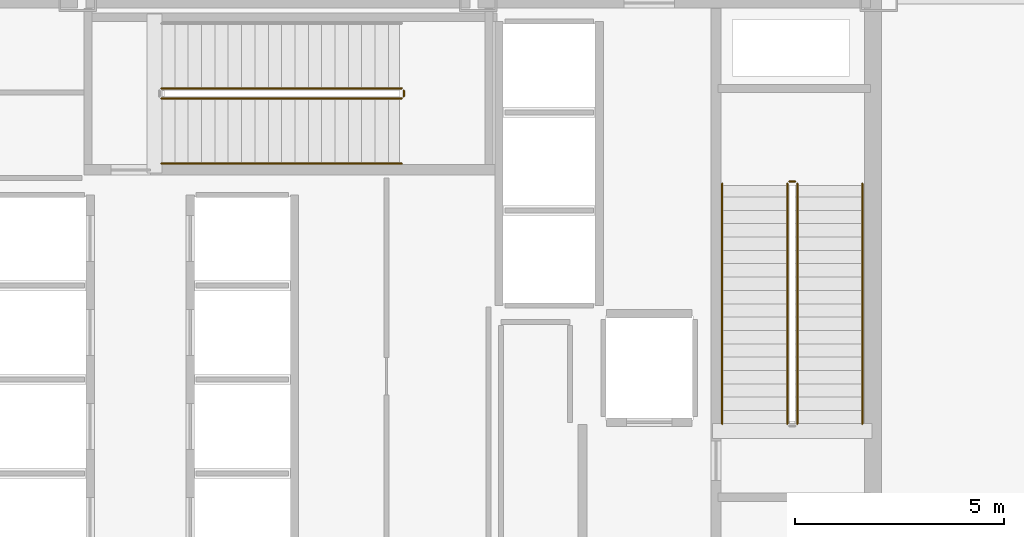
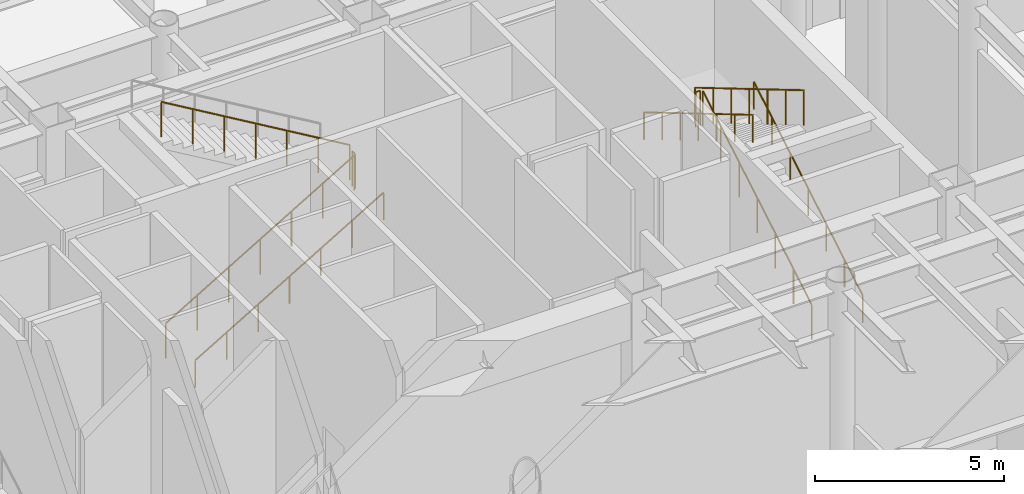
# One storey, part 22 of 23: 9 railings.
"""IFC4 building model written with IfcOpenShell, lengths in metres."""

from ifc_helpers import new_model, si_unit, direction, frame, origin, origin_2d, place, context, subcontext, project, spatial, circle, extrude, material, layer, layer_set, type_object, element, save


model = new_model("IFC4")

# Units and contexts
model_context = context("Model", 3, precision=1e-05, world=origin(), true_north=direction((0.0, 1.0)))
body_context = subcontext(model_context, "Body", "Model", "MODEL_VIEW")
ifc_project = project(units=[si_unit("LENGTHUNIT", "METRE"), si_unit("AREAUNIT", "SQUARE_METRE"), si_unit("VOLUMEUNIT", "CUBIC_METRE"), si_unit("PLANEANGLEUNIT", "RADIAN"), si_unit("MASSUNIT", "GRAM", prefix="KILO")], contexts=[model_context])

# Site, building, storey
site_placement = place(None, origin())
site = spatial("IfcSite", under=ifc_project, at=site_placement, CompositionType="ELEMENT")
building_placement = place(site_placement, origin())
building = spatial("IfcBuilding", under=site, at=building_placement, Name="Kallvorn Hotel Tower", CompositionType="ELEMENT")
storey_placement = place(building_placement, frame((0.0, 0.0, 12.0)))
storey = spatial("IfcBuildingStorey", under=building, at=storey_placement, Name="L02", CompositionType="ELEMENT", Elevation=12.0)

# Railings
ifc_material_1 = material(Name="Brushed stainless-steel tubular railing", Category="steel")
ifc_layer_1 = layer(ifc_material_1, 0.050048828125)
ifc_layer_set_1 = layer_set([ifc_layer_1], Name="RL_STAIR_GUARD")
railing_type_1 = type_object("IfcRailingType", Name="RL_STAIR_GUARD", PredefinedType="GUARDRAIL", material=ifc_layer_set_1)
railing_1_placement = place(storey_placement, frame((12.449951171875, -3.139892578125, 0.189453125)))
element("IfcRailing", 1, at=railing_1_placement, inside=storey, type_object=railing_type_1, Name="L02 ST2 stair guard 1", PredefinedType="GUARDRAIL", context=body_context, shape_type="SweptSolid", body=[
    extrude(circle(Radius=0.02392578125, at=origin_2d()), frame((0.0, 0.0, 1.1259765625), z_axis=(0.0, 0.86046802549, 0.509504442678), x_axis=(-1.0, 0.0, 0.0)), (0.0, 0.0, 1.0), 6.694091796875),
    extrude(circle(Radius=0.02099609375, at=origin_2d()), origin(), (0.0, 0.0, 1.0), 1.101806640625),
    extrude(circle(Radius=0.02099609375, at=origin_2d()), frame((0.0, 0.9599609375, 0.568359375)), (0.0, 0.0, 1.0), 1.101806640625),
    extrude(circle(Radius=0.02099609375, at=origin_2d()), frame((0.0, 1.919921875, 1.136962890625)), (0.0, 0.0, 1.0), 1.101806640625),
    extrude(circle(Radius=0.02099609375, at=origin_2d()), frame((0.0, 2.8798828125, 1.705322265625)), (0.0, 0.0, 1.0), 1.101806640625),
    extrude(circle(Radius=0.02099609375, at=origin_2d()), frame((0.0, 3.840087890625, 2.273681640625)), (0.0, 0.0, 1.0), 1.101806640625),
    extrude(circle(Radius=0.02099609375, at=origin_2d()), frame((0.0, 4.800048828125, 2.84228515625)), (0.0, 0.0, 1.0), 1.101806640625),
    extrude(circle(Radius=0.02099609375, at=origin_2d()), frame((0.0, 5.760009765625, 3.41064453125)), (0.0, 0.0, 1.0), 1.101806640625),
])
railing_2_placement = place(storey_placement, frame((12.39990234375, 2.669921875, 3.60009765625)))
element("IfcRailing", 2, at=railing_2_placement, inside=storey, type_object=railing_type_1, Name="L02 ST2 stair guard 2", PredefinedType="GUARDRAIL", context=body_context, shape_type="SweptSolid", body=[
    extrude(circle(Radius=0.02392578125, at=origin_2d()), frame((0.0, 0.0, 1.1259765625), z_axis=(-1.0, 0.0, 0.0), x_axis=(0.0, -1.0, 0.0)), (0.0, 0.0, 1.0), 0.139892578125),
    extrude(circle(Radius=0.02099609375, at=origin_2d()), origin(), (0.0, 0.0, 1.0), 1.101806640625),
    extrude(circle(Radius=0.02099609375, at=origin_2d()), frame((-0.139892578125, 0.0, 0.0)), (0.0, 0.0, 1.0), 1.101806640625),
])
railing_3_placement = place(storey_placement, frame((12.2099609375, 2.6201171875, 3.78955078125)))
element("IfcRailing", 3, at=railing_3_placement, inside=storey, type_object=railing_type_1, Name="L02 ST2 stair guard 3", PredefinedType="GUARDRAIL", context=body_context, shape_type="SweptSolid", body=[
    extrude(circle(Radius=0.02392578125, at=origin_2d()), frame((0.0, 0.0, 1.1259765625), z_axis=(0.0, -0.860484014842, 0.509477438364), x_axis=(1.0, 0.0, 0.0)), (0.0, 0.0, 1.0), 6.69384765625),
    extrude(circle(Radius=0.02099609375, at=origin_2d()), origin(), (0.0, 0.0, 1.0), 1.101806640625),
    extrude(circle(Radius=0.02099609375, at=origin_2d()), frame((0.0, -0.9599609375, 0.568359375)), (0.0, 0.0, 1.0), 1.101806640625),
    extrude(circle(Radius=0.02099609375, at=origin_2d()), frame((0.0, -1.919921875, 1.13671875)), (0.0, 0.0, 1.0), 1.101806640625),
    extrude(circle(Radius=0.02099609375, at=origin_2d()), frame((0.0, -2.8798828125, 1.705078125)), (0.0, 0.0, 1.0), 1.101806640625),
    extrude(circle(Radius=0.02099609375, at=origin_2d()), frame((0.0, -3.840087890625, 2.273681640625)), (0.0, 0.0, 1.0), 1.101806640625),
    extrude(circle(Radius=0.02099609375, at=origin_2d()), frame((0.0, -4.800048828125, 2.842041015625)), (0.0, 0.0, 1.0), 1.101806640625),
    extrude(circle(Radius=0.02099609375, at=origin_2d()), frame((0.0, -5.760009765625, 3.410400390625)), (0.0, 0.0, 1.0), 1.101806640625),
])
railing_4_placement = place(storey_placement, frame((-2.7900390625, 4.659912109375, 0.189453125)))
element("IfcRailing", 4, at=railing_4_placement, inside=storey, type_object=railing_type_1, Name="L02 ST3 stair guard 1", PredefinedType="GUARDRAIL", context=body_context, shape_type="SweptSolid", body=[
    extrude(circle(Radius=0.02392578125, at=origin_2d()), frame((0.0, 0.0, 1.1259765625), z_axis=(0.86046802549, 0.0, 0.509504442678), x_axis=(0.0, 1.0, 0.0)), (0.0, 0.0, 1.0), 6.694091796875),
    extrude(circle(Radius=0.02099609375, at=origin_2d()), origin(), (0.0, 0.0, 1.0), 1.101806640625),
    extrude(circle(Radius=0.02099609375, at=origin_2d()), frame((0.9599609375, 0.0, 0.568359375)), (0.0, 0.0, 1.0), 1.101806640625),
    extrude(circle(Radius=0.02099609375, at=origin_2d()), frame((1.919921875, 0.0, 1.136962890625)), (0.0, 0.0, 1.0), 1.101806640625),
    extrude(circle(Radius=0.02099609375, at=origin_2d()), frame((2.8798828125, 0.0, 1.705322265625)), (0.0, 0.0, 1.0), 1.101806640625),
    extrude(circle(Radius=0.02099609375, at=origin_2d()), frame((3.840087890625, 0.0, 2.273681640625)), (0.0, 0.0, 1.0), 1.101806640625),
    extrude(circle(Radius=0.02099609375, at=origin_2d()), frame((4.800048828125, 0.0, 2.84228515625)), (0.0, 0.0, 1.0), 1.101806640625),
    extrude(circle(Radius=0.02099609375, at=origin_2d()), frame((5.760009765625, 0.0, 3.41064453125)), (0.0, 0.0, 1.0), 1.101806640625),
])
railing_5_placement = place(storey_placement, frame((3.02001953125, 4.7099609375, 3.60009765625)))
element("IfcRailing", 5, at=railing_5_placement, inside=storey, type_object=railing_type_1, Name="L02 ST3 stair guard 2", PredefinedType="GUARDRAIL", context=body_context, shape_type="SweptSolid", body=[
    extrude(circle(Radius=0.02392578125, at=origin_2d()), frame((0.0, 0.0, 1.1259765625), z_axis=(0.0, 1.0, 0.0), x_axis=(-1.0, 0.0, 0.0)), (0.0, 0.0, 1.0), 0.14013671875),
    extrude(circle(Radius=0.02099609375, at=origin_2d()), origin(), (0.0, 0.0, 1.0), 1.101806640625),
    extrude(circle(Radius=0.02099609375, at=origin_2d()), frame((0.0, 0.14013671875, 0.0)), (0.0, 0.0, 1.0), 1.101806640625),
])
railing_6_placement = place(storey_placement, frame((2.969970703125, 4.89990234375, 3.78955078125)))
element("IfcRailing", 6, at=railing_6_placement, inside=storey, type_object=railing_type_1, Name="L02 ST3 stair guard 3", PredefinedType="GUARDRAIL", context=body_context, shape_type="SweptSolid", body=[
    extrude(circle(Radius=0.02392578125, at=origin_2d()), frame((0.0, 0.0, 1.1259765625), z_axis=(-0.860484014842, 0.0, 0.509477438364), x_axis=(0.0, -1.0, 0.0)), (0.0, 0.0, 1.0), 6.69384765625),
    extrude(circle(Radius=0.02099609375, at=origin_2d()), origin(), (0.0, 0.0, 1.0), 1.101806640625),
    extrude(circle(Radius=0.02099609375, at=origin_2d()), frame((-0.9599609375, 0.0, 0.568359375)), (0.0, 0.0, 1.0), 1.101806640625),
    extrude(circle(Radius=0.02099609375, at=origin_2d()), frame((-1.919921875, 0.0, 1.13671875)), (0.0, 0.0, 1.0), 1.101806640625),
    extrude(circle(Radius=0.02099609375, at=origin_2d()), frame((-2.8798828125, 0.0, 1.705078125)), (0.0, 0.0, 1.0), 1.101806640625),
    extrude(circle(Radius=0.02099609375, at=origin_2d()), frame((-3.840087890625, 0.0, 2.273681640625)), (0.0, 0.0, 1.0), 1.101806640625),
    extrude(circle(Radius=0.02099609375, at=origin_2d()), frame((-4.800048828125, 0.0, 2.842041015625)), (0.0, 0.0, 1.0), 1.101806640625),
    extrude(circle(Radius=0.02099609375, at=origin_2d()), frame((-5.760009765625, 0.0, 3.410400390625)), (0.0, 0.0, 1.0), 1.101806640625),
])
ifc_material_2 = material(Name="Brushed stainless-steel tubular railing", Category="steel")
ifc_layer_2 = layer(ifc_material_2, 0.050048828125)
ifc_layer_set_2 = layer_set([ifc_layer_2], Name="RL_STAIR_HAND")
railing_type_2 = type_object("IfcRailingType", Name="RL_STAIR_HAND", PredefinedType="HANDRAIL", material=ifc_layer_set_2)
railing_7_placement = place(storey_placement, frame((14.010009765625, -3.139892578125, 0.189453125)))
element("IfcRailing", 7, at=railing_7_placement, inside=storey, type_object=railing_type_2, Name="L02 ST2 stair handrail 1", PredefinedType="HANDRAIL", context=body_context, shape_type="SweptSolid", body=[
    extrude(circle(Radius=0.02392578125, at=origin_2d()), frame((0.0, 0.0, 0.8759765625), z_axis=(0.0, 0.86046802549, 0.509504442678), x_axis=(-1.0, 0.0, 0.0)), (0.0, 0.0, 1.0), 6.694091796875),
    extrude(circle(Radius=0.02099609375, at=origin_2d()), origin(), (0.0, 0.0, 1.0), 0.851806640625),
    extrude(circle(Radius=0.02099609375, at=origin_2d()), frame((0.0, 0.9599609375, 0.568359375)), (0.0, 0.0, 1.0), 0.851806640625),
    extrude(circle(Radius=0.02099609375, at=origin_2d()), frame((0.0, 1.919921875, 1.136962890625)), (0.0, 0.0, 1.0), 0.851806640625),
    extrude(circle(Radius=0.02099609375, at=origin_2d()), frame((0.0, 2.8798828125, 1.705322265625)), (0.0, 0.0, 1.0), 0.851806640625),
    extrude(circle(Radius=0.02099609375, at=origin_2d()), frame((0.0, 3.840087890625, 2.273681640625)), (0.0, 0.0, 1.0), 0.851806640625),
    extrude(circle(Radius=0.02099609375, at=origin_2d()), frame((0.0, 4.800048828125, 2.84228515625)), (0.0, 0.0, 1.0), 0.851806640625),
    extrude(circle(Radius=0.02099609375, at=origin_2d()), frame((0.0, 5.760009765625, 3.41064453125)), (0.0, 0.0, 1.0), 0.851806640625),
])
railing_8_placement = place(storey_placement, frame((10.64990234375, 2.6201171875, 3.78955078125)))
element("IfcRailing", 8, at=railing_8_placement, inside=storey, type_object=railing_type_2, Name="L02 ST2 stair handrail 2", PredefinedType="HANDRAIL", context=body_context, shape_type="SweptSolid", body=[
    extrude(circle(Radius=0.02392578125, at=origin_2d()), frame((0.0, 0.0, 0.8759765625), z_axis=(0.0, -0.860484014842, 0.509477438364), x_axis=(1.0, 0.0, 0.0)), (0.0, 0.0, 1.0), 6.69384765625),
    extrude(circle(Radius=0.02099609375, at=origin_2d()), origin(), (0.0, 0.0, 1.0), 0.851806640625),
    extrude(circle(Radius=0.02099609375, at=origin_2d()), frame((0.0, -0.9599609375, 0.568359375)), (0.0, 0.0, 1.0), 0.851806640625),
    extrude(circle(Radius=0.02099609375, at=origin_2d()), frame((0.0, -1.919921875, 1.13671875)), (0.0, 0.0, 1.0), 0.851806640625),
    extrude(circle(Radius=0.02099609375, at=origin_2d()), frame((0.0, -2.8798828125, 1.705078125)), (0.0, 0.0, 1.0), 0.851806640625),
    extrude(circle(Radius=0.02099609375, at=origin_2d()), frame((0.0, -3.840087890625, 2.273681640625)), (0.0, 0.0, 1.0), 0.851806640625),
    extrude(circle(Radius=0.02099609375, at=origin_2d()), frame((0.0, -4.800048828125, 2.842041015625)), (0.0, 0.0, 1.0), 0.851806640625),
    extrude(circle(Radius=0.02099609375, at=origin_2d()), frame((0.0, -5.760009765625, 3.410400390625)), (0.0, 0.0, 1.0), 0.851806640625),
])
railing_9_placement = place(storey_placement, frame((-2.7900390625, 3.10009765625, 0.189453125)))
element("IfcRailing", 9, at=railing_9_placement, inside=storey, type_object=railing_type_2, Name="L02 ST3 stair handrail 1", PredefinedType="HANDRAIL", context=body_context, shape_type="SweptSolid", body=[
    extrude(circle(Radius=0.02392578125, at=origin_2d()), frame((0.0, 0.0, 0.8759765625), z_axis=(0.86046802549, 0.0, 0.509504442678), x_axis=(0.0, 1.0, 0.0)), (0.0, 0.0, 1.0), 6.694091796875),
    extrude(circle(Radius=0.02099609375, at=origin_2d()), origin(), (0.0, 0.0, 1.0), 0.851806640625),
    extrude(circle(Radius=0.02099609375, at=origin_2d()), frame((0.9599609375, 0.0, 0.568359375)), (0.0, 0.0, 1.0), 0.851806640625),
    extrude(circle(Radius=0.02099609375, at=origin_2d()), frame((1.919921875, 0.0, 1.136962890625)), (0.0, 0.0, 1.0), 0.851806640625),
    extrude(circle(Radius=0.02099609375, at=origin_2d()), frame((2.8798828125, 0.0, 1.705322265625)), (0.0, 0.0, 1.0), 0.851806640625),
    extrude(circle(Radius=0.02099609375, at=origin_2d()), frame((3.840087890625, 0.0, 2.273681640625)), (0.0, 0.0, 1.0), 0.851806640625),
    extrude(circle(Radius=0.02099609375, at=origin_2d()), frame((4.800048828125, 0.0, 2.84228515625)), (0.0, 0.0, 1.0), 0.851806640625),
    extrude(circle(Radius=0.02099609375, at=origin_2d()), frame((5.760009765625, 0.0, 3.41064453125)), (0.0, 0.0, 1.0), 0.851806640625),
])

save(model, "model.ifc")
